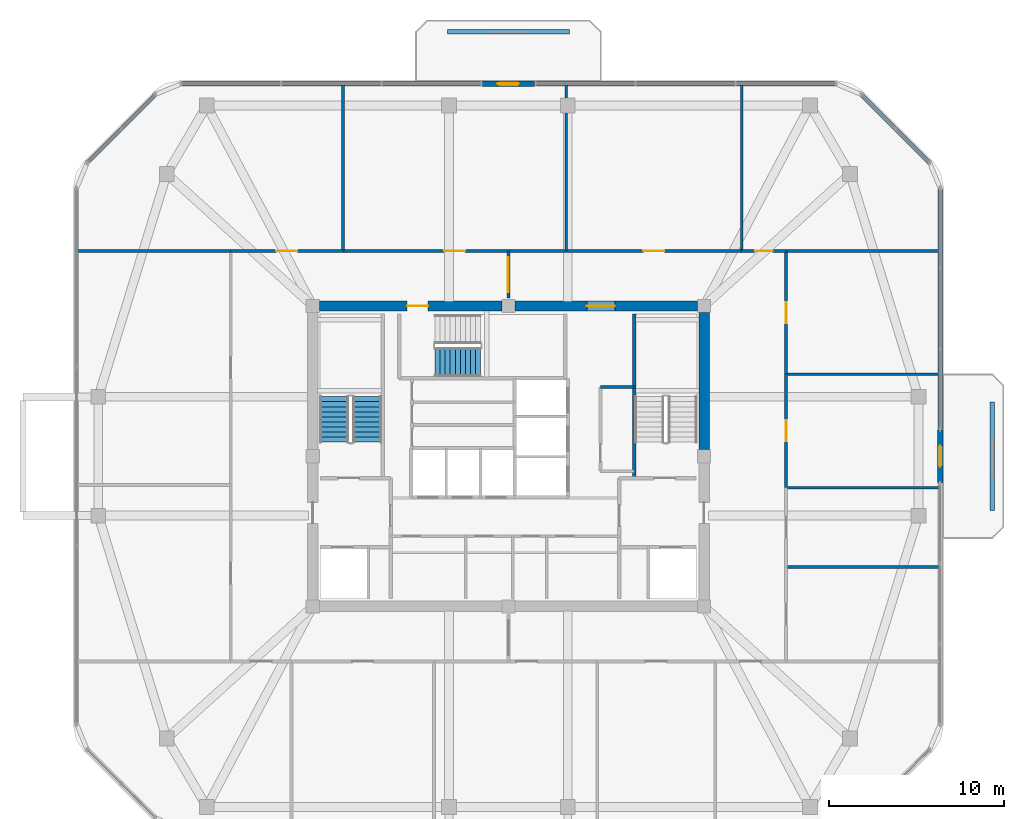
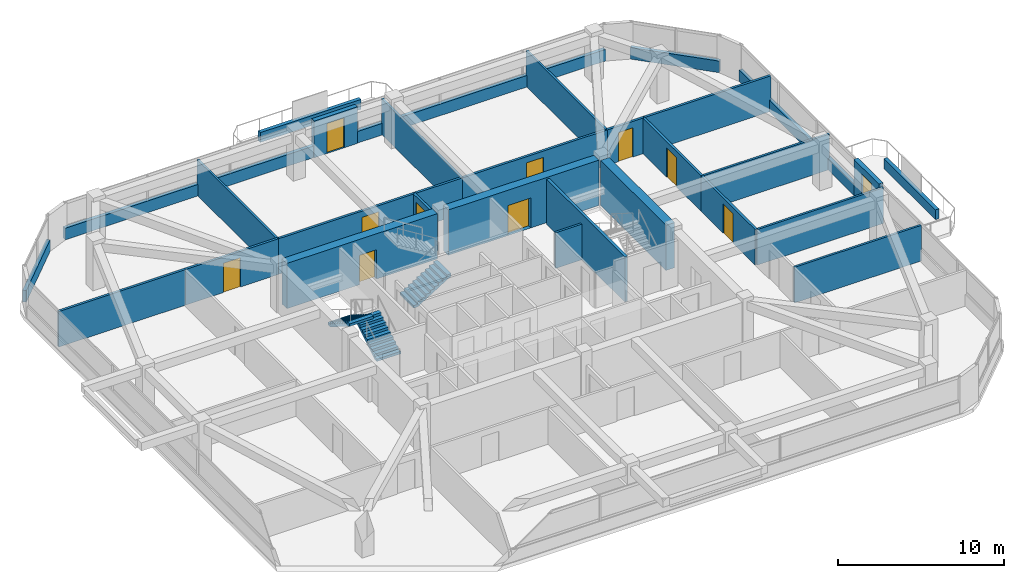
# One storey, part 11 of 14: 29 walls, 11 doors, 3 stair flights, 11 openings, 2 elements without a shape of their own.
"""IFC4 building model written with IfcOpenShell, lengths in metres."""

from ifc_helpers import new_model, si_unit, derived_unit, direction, frame, frame_2d, origin, place, context, subcontext, project, spatial, polyline, rectangle, outline, extrude, material, layer, layer_set, type_object, element, fill, aggregate, save


model = new_model("IFC4")

# Units and contexts
model_context = context("Model", 3, precision=1e-05, world=origin(), true_north=direction((0.0, 1.0)))
body_context = subcontext(model_context, "Body", "Model", "MODEL_VIEW")
ifc_project = project(units=[si_unit("LENGTHUNIT", "METRE"), si_unit("AREAUNIT", "SQUARE_METRE"), si_unit("VOLUMEUNIT", "CUBIC_METRE"), si_unit("PLANEANGLEUNIT", "RADIAN"), si_unit("MASSUNIT", "GRAM", prefix="KILO"), derived_unit("THERMALTRANSMITTANCEUNIT", [(si_unit("POWERUNIT", "WATT"), 1), (si_unit("LENGTHUNIT", "METRE"), -2), (si_unit("THERMODYNAMICTEMPERATUREUNIT", "KELVIN"), -1)])], contexts=[model_context])

# Site, building, storey
site_placement = place(None, origin())
site = spatial("IfcSite", under=ifc_project, at=site_placement, CompositionType="ELEMENT")
building_placement = place(site_placement, origin())
building = spatial("IfcBuilding", under=site, at=building_placement, Name="Koralith Skygarden Medical Center", CompositionType="ELEMENT")
storey_placement = place(building_placement, frame((0.0, 0.0, 275.219970703125)))
storey = spatial("IfcBuildingStorey", under=building, at=storey_placement, Name="L71", CompositionType="ELEMENT", Elevation=275.219970703125)

# Walls
ifc_material_1 = material(Name="Gypsum Board Partition")
ifc_layer_1 = layer(ifc_material_1, 0.14990234375)
ifc_layer_set_1 = layer_set([ifc_layer_1], Name="Gypsum Board Partition")
wall_type_1 = type_object("IfcWallType", Name="Clinical Acoustic Partition 150", PredefinedType="PARTITIONING", material=ifc_layer_set_1)
wall_1_placement = place(storey_placement, frame((42.27001953125, 29.860107421875, 0.0), z_axis=(0.0, 0.0, 1.0), x_axis=(1.0, 0.0, 0.0)))
element("IfcWall", 1, at=wall_1_placement, inside=storey, type_object=wall_type_1, Name="L71 Clinical Acoustic Partition 150 W-CORE-L71-ESUB-N", PredefinedType="PARTITIONING", context=body_context, shape_type="SweptSolid", body=[
    extrude(rectangle(XDim=1.929931640625, YDim=0.14990234375, at=frame_2d((0.96484375, 0.0))), origin(), (0.0, 0.0, 1.0), 2.610107421875),
])
for number, where, z_axis, x_axis, name in (
    (2, (27.528076171875, 37.64990234375, 0.0), (0.0, 0.0, 1.0), (0.0, 1.0, 0.0), "L71 Clinical Acoustic Partition 150 W-PART-L71-N-01"),
    (3, (40.31494140625, 37.64990234375, 0.0), (0.0, 0.0, 1.0), (0.0, 1.0, 0.0), "L71 Clinical Acoustic Partition 150 W-PART-L71-N-02"),
    (4, (50.35009765625, 37.64990234375, 0.0), (0.0, 0.0, 1.0), (0.0, 1.0, 0.0), "L71 Clinical Acoustic Partition 150 W-PART-L71-N-03"),
):
    element("IfcWall", number, at=place(storey_placement, frame(where, z_axis=z_axis, x_axis=x_axis)), inside=storey, type_object=wall_type_1, Name=name, PredefinedType="PARTITIONING", context=body_context, shape_type="SweptSolid", body=[
        extrude(rectangle(XDim=9.550048828125, YDim=0.14990234375, at=frame_2d((4.77490234375, 0.0))), origin(), (0.0, 0.0, 1.0), 2.610107421875),
    ])
for number, where, z_axis, x_axis, name in (
    (5, (52.89990234375, 19.554931640625, 0.0), (0.0, 0.0, 1.0), (1.0, 0.0, 0.0), "L71 Clinical Acoustic Partition 150 W-PART-L71-E-01"),
    (6, (52.89990234375, 24.10009765625, 0.0), (0.0, 0.0, 1.0), (1.0, 0.0, 0.0), "L71 Clinical Acoustic Partition 150 W-PART-L71-E-02"),
    (7, (52.89990234375, 30.60009765625, 0.0), (0.0, 0.0, 1.0), (1.0, 0.0, 0.0), "L71 Clinical Acoustic Partition 150 W-PART-L71-E-03"),
):
    element("IfcWall", number, at=place(storey_placement, frame(where, z_axis=z_axis, x_axis=x_axis)), inside=storey, type_object=wall_type_1, Name=name, PredefinedType="PARTITIONING", context=body_context, shape_type="SweptSolid", body=[
        extrude(rectangle(XDim=8.800048828125, YDim=0.14990234375, at=frame_2d((4.39990234375, 0.0))), origin(), (0.0, 0.0, 1.0), 2.610107421875),
    ])
ifc_layer_2 = layer(ifc_material_1, 0.1650390625)
ifc_layer_set_2 = layer_set([ifc_layer_2], Name="Gypsum Board Partition")
wall_type_2 = type_object("IfcWallType", Name="Clinical Corridor Partition 165", PredefinedType="PARTITIONING", material=ifc_layer_set_2)
for number, where, z_axis, x_axis, name in (
    (8, (12.300048828125, 37.64990234375, 0.0), (0.0, 0.0, 1.0), (1.0, 0.0, 0.0), "L71 Clinical Corridor Partition 165 W-WB-L71-NW"),
    (9, (52.89990234375, 37.64990234375, 0.0), (0.0, 0.0, 1.0), (1.0, 0.0, 0.0), "L71 Clinical Corridor Partition 165 W-WB-L71-NE"),
):
    element("IfcWall", number, at=place(storey_placement, frame(where, z_axis=z_axis, x_axis=x_axis)), inside=storey, type_object=wall_type_2, Name=name, PredefinedType="PARTITIONING", context=body_context, shape_type="SweptSolid", body=[
        extrude(rectangle(XDim=8.800048828125, YDim=0.1650390625, at=frame_2d((4.39990234375, 0.0))), origin(), (0.0, 0.0, 1.0), 2.610107421875),
    ])

# Wall, opening, door
wall_2_placement = place(storey_placement, frame((21.10009765625, 37.64990234375, 0.0), z_axis=(0.0, 0.0, 1.0), x_axis=(1.0, 0.0, 0.0)))
wall_2 = element("IfcWall", 10, at=wall_2_placement, inside=storey, type_object=wall_type_2, Name="L71 Clinical Corridor Partition 165 W-CORR-L71-N-01", PredefinedType="PARTITIONING", context=body_context, shape_type="SweptSolid", body=[
    extrude(rectangle(XDim=6.427978515625, YDim=0.1650390625, at=frame_2d((3.2138671875, 0.0))), origin(), (0.0, 0.0, 1.0), 2.610107421875),
])
opening_1_placement = place(wall_2_placement, frame((2.614013671875, 0.0, 0.0)))
opening_1 = element("IfcOpeningElement", 11, at=opening_1_placement, cuts=wall_2, Name="Opening D-CLN", PredefinedType="OPENING", context=body_context, shape_type="SweptSolid", body=[
    extrude(rectangle(XDim=1.199951171875, YDim=2.14990234375, at=frame_2d((0.60009765625, 1.074951171875))), frame((0.0, 0.092529296875, 0.0), z_axis=(0.0, -1.0, 0.0), x_axis=(1.0, 0.0, 0.0)), (0.0, 0.0, 1.0), 0.18505859375),
])
ifc_material_2 = material(Name="Aluminium 6063-T6", Category="aluminium")
door_type_1 = type_object("IfcDoorType", Name="Clinical Corridor Door D-CLN 1200", OperationType="NOTDEFINED", PredefinedType="DOOR", material=ifc_material_2)
door_1_placement = place(opening_1_placement, origin())
door_1 = element("IfcDoor", 12, at=door_1_placement, inside=storey, type_object=door_type_1, Name="L71 Ethics Committee Conference Room 01 Door", OperationType="SINGLE_SWING_RIGHT", OverallHeight=2.14990234375, OverallWidth=1.199951171875, PredefinedType="DOOR", context=body_context, shape_type="SweptSolid", body=[
    extrude(rectangle(XDim=1.199951171875, YDim=2.14990234375, at=frame_2d((0.60009765625, 1.074951171875))), frame((0.0, 0.02490234375, 0.0), z_axis=(0.0, -1.0, 0.0), x_axis=(1.0, 0.0, 0.0)), (0.0, 0.0, 1.0), 0.050048828125),
])
fill(opening_1, door_1)

wall_3_placement = place(storey_placement, frame((27.528076171875, 37.64990234375, 0.0), z_axis=(0.0, 0.0, 1.0), x_axis=(1.0, 0.0, 0.0)))
wall_3 = element("IfcWall", 13, at=wall_3_placement, inside=storey, type_object=wall_type_2, Name="L71 Clinical Corridor Partition 165 W-CORR-L71-N-02", PredefinedType="PARTITIONING", context=body_context, shape_type="SweptSolid", body=[
    extrude(rectangle(XDim=12.786865234375, YDim=0.1650390625, at=frame_2d((6.3935546875, 0.0))), origin(), (0.0, 0.0, 1.0), 2.610107421875),
])
opening_2_placement = place(wall_3_placement, frame((5.79296875, 0.0, 0.0)))
opening_2 = element("IfcOpeningElement", 14, at=opening_2_placement, cuts=wall_3, Name="Opening D-CLN", PredefinedType="OPENING", context=body_context, shape_type="SweptSolid", body=[
    extrude(rectangle(XDim=1.199951171875, YDim=2.14990234375, at=frame_2d((0.60009765625, 1.074951171875))), frame((0.0, 0.092529296875, 0.0), z_axis=(0.0, -1.0, 0.0), x_axis=(1.0, 0.0, 0.0)), (0.0, 0.0, 1.0), 0.18505859375),
])
door_2_placement = place(opening_2_placement, origin())
door_2 = element("IfcDoor", 15, at=door_2_placement, inside=storey, type_object=door_type_1, Name="L71 Patient and Family Sky-Garden Day Lounge 02 Door", OperationType="SINGLE_SWING_LEFT", OverallHeight=2.14990234375, OverallWidth=1.199951171875, PredefinedType="DOOR", context=body_context, shape_type="SweptSolid", body=[
    extrude(rectangle(XDim=1.199951171875, YDim=2.14990234375, at=frame_2d((0.60009765625, 1.074951171875))), frame((0.0, 0.02490234375, 0.0), z_axis=(0.0, -1.0, 0.0), x_axis=(1.0, 0.0, 0.0)), (0.0, 0.0, 1.0), 0.050048828125),
])
fill(opening_2, door_2)

wall_4_placement = place(storey_placement, frame((40.31494140625, 37.64990234375, 0.0), z_axis=(0.0, 0.0, 1.0), x_axis=(1.0, 0.0, 0.0)))
wall_4 = element("IfcWall", 16, at=wall_4_placement, inside=storey, type_object=wall_type_2, Name="L71 Clinical Corridor Partition 165 W-CORR-L71-N-03", PredefinedType="PARTITIONING", context=body_context, shape_type="SweptSolid", body=[
    extrude(rectangle(XDim=10.03515625, YDim=0.1650390625, at=frame_2d((5.017578125, 0.0))), origin(), (0.0, 0.0, 1.0), 2.610107421875),
])
opening_3_placement = place(wall_4_placement, frame((4.41796875, 0.0, 0.0)))
opening_3 = element("IfcOpeningElement", 17, at=opening_3_placement, cuts=wall_4, Name="Opening D-CLN", PredefinedType="OPENING", context=body_context, shape_type="SweptSolid", body=[
    extrude(rectangle(XDim=1.199951171875, YDim=2.14990234375, at=frame_2d((0.60009765625, 1.074951171875))), frame((0.0, 0.092529296875, 0.0), z_axis=(0.0, -1.0, 0.0), x_axis=(1.0, 0.0, 0.0)), (0.0, 0.0, 1.0), 0.18505859375),
])
door_3_placement = place(opening_3_placement, origin())
door_3 = element("IfcDoor", 18, at=door_3_placement, inside=storey, type_object=door_type_1, Name="L71 Hospital Quality Huddle Room 03 Door", OperationType="SINGLE_SWING_RIGHT", OverallHeight=2.14990234375, OverallWidth=1.199951171875, PredefinedType="DOOR", context=body_context, shape_type="SweptSolid", body=[
    extrude(rectangle(XDim=1.199951171875, YDim=2.14990234375, at=frame_2d((0.60009765625, 1.074951171875))), frame((0.0, 0.02490234375, 0.0), z_axis=(0.0, -1.0, 0.0), x_axis=(1.0, 0.0, 0.0)), (0.0, 0.0, 1.0), 0.050048828125),
])
fill(opening_3, door_3)

wall_5_placement = place(storey_placement, frame((50.35009765625, 37.64990234375, 0.0), z_axis=(0.0, 0.0, 1.0), x_axis=(1.0, 0.0, 0.0)))
wall_5 = element("IfcWall", 19, at=wall_5_placement, inside=storey, type_object=wall_type_2, Name="L71 Clinical Corridor Partition 165 W-CORR-L71-N-04", PredefinedType="PARTITIONING", context=body_context, shape_type="SweptSolid", body=[
    extrude(rectangle(XDim=2.5498046875, YDim=0.1650390625, at=frame_2d((1.27490234375, 0.0))), origin(), (0.0, 0.0, 1.0), 2.610107421875),
])
opening_4_placement = place(wall_5_placement, frame((0.77490234375, 0.0, 0.0)))
opening_4 = element("IfcOpeningElement", 20, at=opening_4_placement, cuts=wall_5, Name="Opening D-SUP", PredefinedType="OPENING", context=body_context, shape_type="SweptSolid", body=[
    extrude(rectangle(XDim=1.0, YDim=2.14990234375, at=frame_2d((0.5, 1.074951171875))), frame((0.0, 0.092529296875, 0.0), z_axis=(0.0, -1.0, 0.0), x_axis=(1.0, 0.0, 0.0)), (0.0, 0.0, 1.0), 0.18505859375),
])
door_type_2 = type_object("IfcDoorType", Name="Clinical Support Door D-SUP 1000", OperationType="NOTDEFINED", PredefinedType="DOOR", material=ifc_material_2)
door_4_placement = place(opening_4_placement, origin())
door_4 = element("IfcDoor", 21, at=door_4_placement, inside=storey, type_object=door_type_2, Name="L71 Physician Reading Lounge 04 Door", OperationType="SINGLE_SWING_LEFT", OverallHeight=2.14990234375, OverallWidth=1.0, PredefinedType="DOOR", context=body_context, shape_type="SweptSolid", body=[
    extrude(rectangle(XDim=1.0, YDim=2.14990234375, at=frame_2d((0.5, 1.074951171875))), frame((0.0, 0.02490234375, 0.0), z_axis=(0.0, -1.0, 0.0), x_axis=(1.0, 0.0, 0.0)), (0.0, 0.0, 1.0), 0.050048828125),
])
fill(opening_4, door_4)

wall_6_placement = place(storey_placement, frame((52.89990234375, 24.10009765625, 0.0), z_axis=(0.0, 0.0, 1.0), x_axis=(0.0, 1.0, 0.0)))
wall_6 = element("IfcWall", 22, at=wall_6_placement, inside=storey, type_object=wall_type_2, Name="L71 Clinical Corridor Partition 165 W-CORR-L71-E-03", PredefinedType="PARTITIONING", context=body_context, shape_type="SweptSolid", body=[
    extrude(rectangle(XDim=6.5, YDim=0.1650390625, at=frame_2d((3.25, 0.0))), origin(), (0.0, 0.0, 1.0), 2.610107421875),
])
opening_5_placement = place(wall_6_placement, frame((2.64990234375, 0.0, 0.0)))
opening_5 = element("IfcOpeningElement", 23, at=opening_5_placement, cuts=wall_6, Name="Opening D-CLN", PredefinedType="OPENING", context=body_context, shape_type="SweptSolid", body=[
    extrude(rectangle(XDim=1.199951171875, YDim=2.14990234375, at=frame_2d((0.60009765625, 1.074951171875))), frame((0.0, 0.092529296875, 0.0), z_axis=(0.0, -1.0, 0.0), x_axis=(1.0, 0.0, 0.0)), (0.0, 0.0, 1.0), 0.18505859375),
])
door_5_placement = place(opening_5_placement, origin())
door_5 = element("IfcDoor", 24, at=door_5_placement, inside=storey, type_object=door_type_1, Name="L71 Patient and Family Sky-Garden Day Lounge 14 Door", OperationType="SINGLE_SWING_LEFT", OverallHeight=2.14990234375, OverallWidth=1.199951171875, PredefinedType="DOOR", context=body_context, shape_type="SweptSolid", body=[
    extrude(rectangle(XDim=1.199951171875, YDim=2.14990234375, at=frame_2d((0.60009765625, 1.074951171875))), frame((0.0, 0.02490234375, 0.0), z_axis=(0.0, -1.0, 0.0), x_axis=(1.0, 0.0, 0.0)), (0.0, 0.0, 1.0), 0.050048828125),
])
fill(opening_5, door_5)

wall_7_placement = place(storey_placement, frame((52.89990234375, 30.60009765625, 0.0), z_axis=(0.0, 0.0, 1.0), x_axis=(0.0, 1.0, 0.0)))
wall_7 = element("IfcWall", 25, at=wall_7_placement, inside=storey, type_object=wall_type_2, Name="L71 Clinical Corridor Partition 165 W-CORR-L71-E-04", PredefinedType="PARTITIONING", context=body_context, shape_type="SweptSolid", body=[
    extrude(rectangle(XDim=7.0498046875, YDim=0.1650390625, at=frame_2d((3.52490234375, 0.0))), origin(), (0.0, 0.0, 1.0), 2.610107421875),
])
opening_6_placement = place(wall_7_placement, frame((2.925048828125, 0.0, 0.0)))
opening_6 = element("IfcOpeningElement", 26, at=opening_6_placement, cuts=wall_7, Name="Opening D-CLN", PredefinedType="OPENING", context=body_context, shape_type="SweptSolid", body=[
    extrude(rectangle(XDim=1.199951171875, YDim=2.14990234375, at=frame_2d((0.60009765625, 1.074951171875))), frame((0.0, 0.092529296875, 0.0), z_axis=(0.0, -1.0, 0.0), x_axis=(1.0, 0.0, 0.0)), (0.0, 0.0, 1.0), 0.18505859375),
])
door_6_placement = place(opening_6_placement, origin())
door_6 = element("IfcDoor", 27, at=door_6_placement, inside=storey, type_object=door_type_1, Name="L71 Ethics Committee Conference Room 15 Door", OperationType="SINGLE_SWING_RIGHT", OverallHeight=2.14990234375, OverallWidth=1.199951171875, PredefinedType="DOOR", context=body_context, shape_type="SweptSolid", body=[
    extrude(rectangle(XDim=1.199951171875, YDim=2.14990234375, at=frame_2d((0.60009765625, 1.074951171875))), frame((0.0, 0.02490234375, 0.0), z_axis=(0.0, -1.0, 0.0), x_axis=(1.0, 0.0, 0.0)), (0.0, 0.0, 1.0), 0.050048828125),
])
fill(opening_6, door_6)

ifc_layer_3 = layer(ifc_material_1, 0.179931640625)
ifc_layer_set_3 = layer_set([ifc_layer_3], Name="Gypsum Board Partition")
wall_type_3 = type_object("IfcWallType", Name="Group I-2 Smoke Barrier Wall 180", PredefinedType="PARTITIONING", material=ifc_layer_set_3)
wall_8_placement = place(storey_placement, frame((37.0, 34.949951171875, 0.0), z_axis=(0.0, 0.0, 1.0), x_axis=(0.0, 1.0, 0.0)))
wall_8 = element("IfcWall", 28, at=wall_8_placement, inside=storey, type_object=wall_type_3, Name="L71 Group I-2 Smoke Barrier Wall 180 W-SMK-L71-N", PredefinedType="PARTITIONING", context=body_context, shape_type="SweptSolid", body=[
    extrude(rectangle(XDim=2.699951171875, YDim=0.179931640625, at=frame_2d((1.35009765625, 0.0))), origin(), (0.0, 0.0, 1.0), 2.610107421875),
])
opening_7_placement = place(wall_8_placement, frame((0.35009765625, 0.0, 0.0)))
opening_7 = element("IfcOpeningElement", 29, at=opening_7_placement, cuts=wall_8, Name="Opening D-SMK", PredefinedType="OPENING", context=body_context, shape_type="SweptSolid", body=[
    extrude(rectangle(XDim=2.0, YDim=2.199951171875, at=frame_2d((1.0, 1.10009765625))), frame((0.0, 0.099853515625, 0.0), z_axis=(0.0, -1.0, 0.0), x_axis=(1.0, 0.0, 0.0)), (0.0, 0.0, 1.0), 0.199951171875),
])
ifc_material_3 = material(Name="Steel ASTM A500 Grade C", Category="steel")
door_type_3 = type_object("IfcDoorType", Name="Cross-Corridor Double Smoke Door FD60S 2000", OperationType="NOTDEFINED", PredefinedType="DOOR", material=ifc_material_3)
door_7_placement = place(opening_7_placement, origin())
door_7 = element("IfcDoor", 30, at=door_7_placement, inside=storey, type_object=door_type_3, Name="L71 N Smoke Compartment Cross-Corridor Door", OperationType="DOUBLE_DOOR_SINGLE_SWING", OverallHeight=2.199951171875, OverallWidth=2.0, PredefinedType="DOOR", context=body_context, shape_type="SweptSolid", body=[
    extrude(rectangle(XDim=2.0, YDim=2.199951171875, at=frame_2d((1.0, 1.10009765625))), frame((0.0, 0.02490234375, 0.0), z_axis=(0.0, -1.0, 0.0), x_axis=(1.0, 0.0, 0.0)), (0.0, 0.0, 1.0), 0.050048828125),
])
fill(opening_7, door_7)

# Walls
ifc_material_4 = material(Name="Warm Oolitic Limestone Cladding", Category="masonry")
ifc_layer_4 = layer(ifc_material_4, 0.239990234375)
ifc_layer_set_4 = layer_set([ifc_layer_4], Name="Warm Oolitic Limestone Cladding")
wall_type_4 = type_object("IfcWallType", Name="Limestone Spandrel Sill Backup Wall 240", PredefinedType="SOLIDWALL", material=ifc_layer_set_4)
wall_9_placement = place(storey_placement, frame((61.719970703125, 27.43994140625, 0.0), z_axis=(0.0, 0.0, 1.0), x_axis=(0.0, 1.0, 0.0)))
element("IfcWall", 31, at=wall_9_placement, inside=storey, type_object=wall_type_4, Name="L71 Sill Spandrel E-R", PredefinedType="SOLIDWALL", context=body_context, shape_type="SweptSolid", body=[
    extrude(rectangle(XDim=13.80517578125, YDim=0.239990234375, at=frame_2d((6.902587890625, 0.0))), origin(), (0.0, 0.0, 1.0), 0.85009765625),
])
wall_10_placement = place(storey_placement, frame((61.118896484375, 42.696044921875, 0.0), z_axis=(0.0, 0.0, 1.0), x_axis=(-0.707106781187, 0.707106781187, 0.0)))
element("IfcWall", 32, at=wall_10_placement, inside=storey, type_object=wall_type_4, Name="L71 Sill Spandrel NE", PredefinedType="SOLIDWALL", context=body_context, shape_type="SweptSolid", body=[
    extrude(rectangle(XDim=5.5478515625, YDim=0.239990234375, at=frame_2d((2.77392578125, 0.0))), origin(), (0.0, 0.0, 1.0), 0.85009765625),
])
wall_11_placement = place(storey_placement, frame((55.7451171875, 47.219970703125, 0.0), z_axis=(0.0, 0.0, 1.0), x_axis=(-1.0, 0.0, 0.0)))
element("IfcWall", 33, at=wall_11_placement, inside=storey, type_object=wall_type_4, Name="L71 Sill Spandrel N-L", PredefinedType="SOLIDWALL", context=body_context, shape_type="SweptSolid", body=[
    extrude(rectangle(XDim=17.2041015625, YDim=0.239990234375, at=frame_2d((8.60205078125, 0.0))), origin(), (0.0, 0.0, 1.0), 0.85009765625),
])
wall_12_placement = place(storey_placement, frame((35.4609375, 47.219970703125, 0.0), z_axis=(0.0, 0.0, 1.0), x_axis=(-1.0, 0.0, 0.0)))
element("IfcWall", 34, at=wall_12_placement, inside=storey, type_object=wall_type_4, Name="L71 Sill Spandrel N-R", PredefinedType="SOLIDWALL", context=body_context, shape_type="SweptSolid", body=[
    extrude(rectangle(XDim=17.2060546875, YDim=0.239990234375, at=frame_2d((8.60302734375, 0.0))), origin(), (0.0, 0.0, 1.0), 0.85009765625),
])
wall_13_placement = place(storey_placement, frame((16.803955078125, 46.618896484375, 0.0), z_axis=(0.0, 0.0, 1.0), x_axis=(-0.707106781187, -0.707106781187, 0.0)))
element("IfcWall", 35, at=wall_13_placement, inside=storey, type_object=wall_type_4, Name="L71 Sill Spandrel NW", PredefinedType="SOLIDWALL", context=body_context, shape_type="SweptSolid", body=[
    extrude(rectangle(XDim=5.5478515625, YDim=0.239990234375, at=frame_2d((2.77392578125, 0.0))), origin(), (0.0, 0.0, 1.0), 0.85009765625),
])

# Wall, opening, door
ifc_layer_5 = layer(ifc_material_4, 0.300048828125)
ifc_layer_set_5 = layer_set([ifc_layer_5], Name="Warm Oolitic Limestone Cladding")
wall_type_5 = type_object("IfcWallType", Name="Oolitic Limestone Insulated Facade Wall 300", PredefinedType="SOLIDWALL", material=ifc_layer_set_5)
wall_14_placement = place(storey_placement, frame((61.719970703125, 24.39990234375, 0.0), z_axis=(0.0, 0.0, 1.0), x_axis=(0.0, 1.0, 0.0)))
wall_14 = element("IfcWall", 36, at=wall_14_placement, inside=storey, type_object=wall_type_5, Name="L71 Terrace Portal Wall E", PredefinedType="SOLIDWALL", context=body_context, shape_type="SweptSolid", body=[
    extrude(rectangle(XDim=3.0, YDim=0.300048828125, at=frame_2d((1.5, 0.0))), origin(), (0.0, 0.0, 1.0), 2.68994140625),
])
opening_8_placement = place(wall_14_placement, frame((0.89990234375, 0.0, 0.0)))
opening_8 = element("IfcOpeningElement", 37, at=opening_8_placement, cuts=wall_14, Name="Opening D-BAL", PredefinedType="OPENING", context=body_context, shape_type="SweptSolid", body=[
    extrude(rectangle(XDim=1.199951171875, YDim=2.199951171875, at=frame_2d((0.60009765625, 1.10009765625))), frame((0.0, 0.159912109375, 0.0), z_axis=(0.0, -1.0, 0.0), x_axis=(1.0, 0.0, 0.0)), (0.0, 0.0, 1.0), 0.320068359375),
])
door_type_4 = type_object("IfcDoorType", Name="Planted Balcony Glazed Terrace Door D-BAL 1200", OperationType="NOTDEFINED", PredefinedType="DOOR", material=ifc_material_2)
door_8_placement = place(opening_8_placement, origin())
door_8 = element("IfcDoor", 38, at=door_8_placement, inside=storey, type_object=door_type_4, Name="L71 E Outdoor Terrace Access Door", OperationType="SINGLE_SWING_RIGHT", OverallHeight=2.199951171875, OverallWidth=1.199951171875, PredefinedType="DOOR", context=body_context, shape_type="SweptSolid", body=[
    extrude(rectangle(XDim=1.199951171875, YDim=2.199951171875, at=frame_2d((0.60009765625, 1.10009765625))), frame((0.0, 0.02490234375, 0.0), z_axis=(0.0, -1.0, 0.0), x_axis=(1.0, 0.0, 0.0)), (0.0, 0.0, 1.0), 0.050048828125),
])
fill(opening_8, door_8)

wall_15_placement = place(storey_placement, frame((38.5009765625, 47.219970703125, 0.0), z_axis=(0.0, 0.0, 1.0), x_axis=(-1.0, 0.0, 0.0)))
wall_15 = element("IfcWall", 39, at=wall_15_placement, inside=storey, type_object=wall_type_5, Name="L71 Terrace Portal Wall N", PredefinedType="SOLIDWALL", context=body_context, shape_type="SweptSolid", body=[
    extrude(rectangle(XDim=3.0, YDim=0.300048828125, at=frame_2d((1.5, 0.0))), origin(), (0.0, 0.0, 1.0), 2.68994140625),
])
opening_9_placement = place(wall_15_placement, frame((0.89990234375, 0.0, 0.0)))
opening_9 = element("IfcOpeningElement", 40, at=opening_9_placement, cuts=wall_15, Name="Opening D-BAL", PredefinedType="OPENING", context=body_context, shape_type="SweptSolid", body=[
    extrude(rectangle(XDim=1.199951171875, YDim=2.199951171875, at=frame_2d((0.60009765625, 1.10009765625))), frame((0.0, 0.159912109375, 0.0), z_axis=(0.0, -1.0, 0.0), x_axis=(1.0, 0.0, 0.0)), (0.0, 0.0, 1.0), 0.320068359375),
])
door_9_placement = place(opening_9_placement, origin())
door_9 = element("IfcDoor", 41, at=door_9_placement, inside=storey, type_object=door_type_4, Name="L71 N Outdoor Terrace Access Door", OperationType="SINGLE_SWING_RIGHT", OverallHeight=2.199951171875, OverallWidth=1.199951171875, PredefinedType="DOOR", context=body_context, shape_type="SweptSolid", body=[
    extrude(rectangle(XDim=1.199951171875, YDim=2.199951171875, at=frame_2d((0.60009765625, 1.10009765625))), frame((0.0, 0.02490234375, 0.0), z_axis=(0.0, -1.0, 0.0), x_axis=(1.0, 0.0, 0.0)), (0.0, 0.0, 1.0), 0.050048828125),
])
fill(opening_9, door_9)

# Walls
ifc_material_5 = material(Name="Precast concrete C40/50", Category="concrete")
ifc_layer_6 = layer(ifc_material_5, 0.25)
ifc_layer_set_6 = layer_set([ifc_layer_6], Name="Precast concrete C40/50")
wall_type_6 = type_object("IfcWallType", Name="Structural Concrete Balcony Planter Kerb 250", PredefinedType="PARAPET", material=ifc_layer_set_6)
wall_16_placement = place(storey_placement, frame((33.5, 50.199951171875, 0.0), z_axis=(0.0, 0.0, 1.0), x_axis=(1.0, 0.0, 0.0)))
element("IfcWall", 42, at=wall_16_placement, inside=storey, type_object=wall_type_6, Name="L71 N Structural Tree PLANTER Box", PredefinedType="PARAPET", context=body_context, shape_type="SweptSolid", body=[
    extrude(rectangle(XDim=7.0, YDim=0.25, at=frame_2d((3.5, 0.0))), origin(), (0.0, 0.0, 1.0), 0.719970703125),
])
wall_17_placement = place(storey_placement, frame((64.699951171875, 22.800048828125, 0.0), z_axis=(0.0, 0.0, 1.0), x_axis=(0.0, 1.0, 0.0)))
element("IfcWall", 43, at=wall_17_placement, inside=storey, type_object=wall_type_6, Name="L71 E Structural Tree PLANTER Box", PredefinedType="PARAPET", context=body_context, shape_type="SweptSolid", body=[
    extrude(rectangle(XDim=6.199951171875, YDim=0.25, at=frame_2d((3.10009765625, 0.0))), origin(), (0.0, 0.0, 1.0), 0.719970703125),
])
ifc_material_6 = material(Name="Concrete C45/55", Category="concrete")
ifc_layer_7 = layer(ifc_material_6, 0.199951171875)
ifc_layer_set_7 = layer_set([ifc_layer_7], Name="Concrete C45/55")
wall_type_7 = type_object("IfcWallType", Name="Structural Stair Shaft Wall 200", PredefinedType="SHEAR", material=ifc_layer_set_7)
wall_18_placement = place(storey_placement, frame((44.199951171875, 24.64990234375, 0.0), z_axis=(0.0, 0.0, 1.0), x_axis=(0.0, 1.0, 0.0)))
element("IfcWall", 44, at=wall_18_placement, inside=storey, type_object=wall_type_7, Name="L71 Structural Stair Shaft Wall 200 W-CORE-L71-ST2-W", PredefinedType="SHEAR", context=body_context, shape_type="SweptSolid", body=[
    extrude(rectangle(XDim=9.400146484375, YDim=0.199951171875, at=frame_2d((4.7001953125, 0.0))), origin(), (0.0, 0.0, 1.0), 3.320068359375),
])
ifc_material_7 = material(Name="Concrete C55/67", Category="concrete")
ifc_layer_8 = layer(ifc_material_7, 0.60009765625)
ifc_layer_set_8 = layer_set([ifc_layer_8], Name="Concrete C55/67")
wall_type_8 = type_object("IfcWallType", Name="Upper Core Shear Wall 600", PredefinedType="SHEAR", material=ifc_layer_set_8)
wall_19_placement = place(storey_placement, frame((48.199951171875, 26.27490234375, 0.0), z_axis=(0.0, 0.0, 1.0), x_axis=(0.0, 1.0, 0.0)))
element("IfcWall", 45, at=wall_19_placement, inside=storey, type_object=wall_type_8, Name="L71 Core Shear Wall Segment 4", PredefinedType="SHEAR", context=body_context, shape_type="SweptSolid", body=[
    extrude(rectangle(XDim=7.85009765625, YDim=0.60009765625, at=frame_2d((3.925048828125, 0.0))), origin(), (0.0, 0.0, 1.0), 3.320068359375),
])

# Wall, opening, door
wall_20_placement = place(storey_placement, frame((47.824951171875, 34.5, 0.0), z_axis=(0.0, 0.0, 1.0), x_axis=(-1.0, 0.0, 0.0)))
wall_20 = element("IfcWall", 46, at=wall_20_placement, inside=storey, type_object=wall_type_8, Name="L71 Core Shear Wall Segment 5", PredefinedType="SHEAR", context=body_context, shape_type="SweptSolid", body=[
    extrude(rectangle(XDim=10.449951171875, YDim=0.60009765625, at=frame_2d((5.22509765625, 0.0))), origin(), (0.0, 0.0, 1.0), 3.320068359375),
])
opening_10_placement = place(wall_20_placement, frame((4.72509765625, 0.0, 0.0)))
opening_10 = element("IfcOpeningElement", 47, at=opening_10_placement, cuts=wall_20, Name="Opening D-DBL", PredefinedType="OPENING", context=body_context, shape_type="SweptSolid", body=[
    extrude(rectangle(XDim=1.60009765625, YDim=2.199951171875, at=frame_2d((0.800048828125, 1.10009765625))), frame((0.0, 0.31005859375, 0.0), z_axis=(0.0, -1.0, 0.0), x_axis=(1.0, 0.0, 0.0)), (0.0, 0.0, 1.0), 0.6201171875),
])
door_type_5 = type_object("IfcDoorType", Name="Double Clinical Suite Door D-DBL 1600", OperationType="NOTDEFINED", PredefinedType="DOOR", material=ifc_material_2)
door_10_placement = place(opening_10_placement, frame((1.60009765625, 0.0, 0.0), z_axis=(0.0, 0.0, 1.0), x_axis=(-1.0, 0.0, 0.0)))
door_10 = element("IfcDoor", 48, at=door_10_placement, inside=storey, type_object=door_type_5, Name="L71 North-East Corridor to Elevator Lobby Door", OperationType="DOUBLE_DOOR_SINGLE_SWING", OverallHeight=2.199951171875, OverallWidth=1.60009765625, PredefinedType="DOOR", context=body_context, shape_type="SweptSolid", body=[
    extrude(rectangle(XDim=1.60009765625, YDim=2.199951171875, at=frame_2d((0.800048828125, 1.10009765625))), frame((0.0, 0.02490234375, 0.0), z_axis=(0.0, -1.0, 0.0), x_axis=(1.0, 0.0, 0.0)), (0.0, 0.0, 1.0), 0.050048828125),
])
fill(opening_10, door_10)

wall_21_placement = place(storey_placement, frame((36.625, 34.5, 0.0), z_axis=(0.0, 0.0, 1.0), x_axis=(-1.0, 0.0, 0.0)))
wall_21 = element("IfcWall", 49, at=wall_21_placement, inside=storey, type_object=wall_type_8, Name="L71 Core Shear Wall Segment 6", PredefinedType="SHEAR", context=body_context, shape_type="SweptSolid", body=[
    extrude(rectangle(XDim=10.449951171875, YDim=0.60009765625, at=frame_2d((5.22509765625, 0.0))), origin(), (0.0, 0.0, 1.0), 3.320068359375),
])
opening_11_placement = place(wall_21_placement, frame((4.22509765625, 0.0, 0.0)))
opening_11 = element("IfcOpeningElement", 50, at=opening_11_placement, cuts=wall_21, Name="Opening D-ST60", PredefinedType="OPENING", context=body_context, shape_type="SweptSolid", body=[
    extrude(rectangle(XDim=1.199951171875, YDim=2.14990234375, at=frame_2d((0.60009765625, 1.074951171875))), frame((0.0, 0.31005859375, 0.0), z_axis=(0.0, -1.0, 0.0), x_axis=(1.0, 0.0, 0.0)), (0.0, 0.0, 1.0), 0.6201171875),
])
door_type_6 = type_object("IfcDoorType", Name="Smokeproof Stair Fire Door FD60S 1200", OperationType="NOTDEFINED", PredefinedType="DOOR", material=ifc_material_3)
door_11_placement = place(opening_11_placement, frame((1.199951171875, 0.0, 0.0), z_axis=(0.0, 0.0, 1.0), x_axis=(-1.0, 0.0, 0.0)))
door_11 = element("IfcDoor", 51, at=door_11_placement, inside=storey, type_object=door_type_6, Name="L71 Exit Stair ST3 Fire Door", OperationType="SINGLE_SWING_LEFT", OverallHeight=2.14990234375, OverallWidth=1.199951171875, PredefinedType="DOOR", context=body_context, shape_type="SweptSolid", body=[
    extrude(rectangle(XDim=1.199951171875, YDim=2.14990234375, at=frame_2d((0.60009765625, 1.074951171875))), frame((0.0, 0.02490234375, 0.0), z_axis=(0.0, -1.0, 0.0), x_axis=(1.0, 0.0, 0.0)), (0.0, 0.0, 1.0), 0.050048828125),
])
fill(opening_11, door_11)

# Stair, stair flights
stair_type = type_object("IfcStairType", Name="Core Exit Dogleg Concrete Stair", PredefinedType="HALF_TURN_STAIR", material=ifc_material_6)
stair_1_placement = place(storey_placement, origin())
stair_1 = element("IfcStair", 52, at=stair_1_placement, inside=storey, type_object=stair_type, Name="L71 Smokeproof Exit Stair ST1", PredefinedType="HALF_TURN_STAIR")
stair_flight_type = type_object("IfcStairFlightType", Name="Core Exit Concrete Stair Flight 1650", PredefinedType="STRAIGHT", material=ifc_material_6)
stair_flight_1_placement = place(storey_placement, frame((28.925048828125, 26.699951171875, 0.0), z_axis=(0.0, 0.0, 1.0), x_axis=(0.0, 1.0, 0.0)))
stair_flight_1 = element("IfcStairFlight", 53, at=stair_flight_1_placement, type_object=stair_flight_type, Name="ST1 flight 1", NumberOfRisers=10, NumberOfTreads=9, PredefinedType="STRAIGHT", RiserHeight=0.18, TreadLength=0.29, context=body_context, shape_type="SweptSolid", body=[
    extrude(outline(polyline([(0.0, 0.0), (0.0, 0.179931640625), (0.2900390625, 0.179931640625), (0.2900390625, 0.360107421875), (0.580078125, 0.360107421875), (0.580078125, 0.5400390625), (0.8701171875, 0.5400390625), (0.8701171875, 0.719970703125), (1.159912109375, 0.719970703125), (1.159912109375, 0.89990234375), (1.449951171875, 0.89990234375), (1.449951171875, 1.080078125), (1.739990234375, 1.080078125), (1.739990234375, 1.260009765625), (2.030029296875, 1.260009765625), (2.030029296875, 1.43994140625), (2.320068359375, 1.43994140625), (2.320068359375, 1.6201171875), (2.610107421875, 1.6201171875), (2.610107421875, 1.800048828125), (2.610107421875, 1.443603515625), (0.2841796875, 0.0), (0.0, 0.0)])), frame((0.0, 0.824951171875, 0.0), z_axis=(0.0, -1.0, 0.0), x_axis=(1.0, 0.0, 0.0)), (0.0, 0.0, 1.0), 1.64990234375),
])
stair_flight_2_placement = place(storey_placement, frame((27.02490234375, 29.31005859375, 1.800048828125), z_axis=(0.0, 0.0, 1.0), x_axis=(0.0, -1.0, 0.0)))
stair_flight_2 = element("IfcStairFlight", 54, at=stair_flight_2_placement, type_object=stair_flight_type, Name="ST1 flight 2", NumberOfRisers=10, NumberOfTreads=9, PredefinedType="STRAIGHT", RiserHeight=0.18, TreadLength=0.29, context=body_context, shape_type="SweptSolid", body=[
    extrude(outline(polyline([(0.0, 0.0), (0.0, 0.179931640625), (0.2900390625, 0.179931640625), (0.2900390625, 0.360107421875), (0.580078125, 0.360107421875), (0.580078125, 0.5400390625), (0.8701171875, 0.5400390625), (0.8701171875, 0.719970703125), (1.159912109375, 0.719970703125), (1.159912109375, 0.89990234375), (1.449951171875, 0.89990234375), (1.449951171875, 1.080078125), (1.739990234375, 1.080078125), (1.739990234375, 1.260009765625), (2.030029296875, 1.260009765625), (2.030029296875, 1.43994140625), (2.320068359375, 1.43994140625), (2.320068359375, 1.6201171875), (2.610107421875, 1.6201171875), (2.610107421875, 1.800048828125), (2.610107421875, 1.443603515625), (0.2841796875, 0.0), (0.0, 0.0)])), frame((0.0, 0.824951171875, 0.0), z_axis=(0.0, -1.0, 0.0), x_axis=(1.0, 0.0, 0.0)), (0.0, 0.0, 1.0), 1.64990234375),
])
aggregate(stair_1, [stair_flight_1, stair_flight_2])

# Stair, stair flight
stair_2_placement = place(storey_placement, origin())
stair_2 = element("IfcStair", 55, at=stair_2_placement, inside=storey, type_object=stair_type, Name="L71 Smokeproof Exit Stair ST3", PredefinedType="HALF_TURN_STAIR")
stair_flight_3_placement = place(storey_placement, frame((32.800048828125, 31.27490234375, 0.0), z_axis=(0.0, 0.0, 1.0), x_axis=(1.0, 0.0, 0.0)))
stair_flight_3 = element("IfcStairFlight", 56, at=stair_flight_3_placement, type_object=stair_flight_type, Name="ST3 flight 1", NumberOfRisers=10, NumberOfTreads=9, PredefinedType="STRAIGHT", RiserHeight=0.18, TreadLength=0.29, context=body_context, shape_type="SweptSolid", body=[
    extrude(outline(polyline([(0.0, 0.0), (0.0, 0.179931640625), (0.2900390625, 0.179931640625), (0.2900390625, 0.360107421875), (0.580078125, 0.360107421875), (0.580078125, 0.5400390625), (0.8701171875, 0.5400390625), (0.8701171875, 0.719970703125), (1.159912109375, 0.719970703125), (1.159912109375, 0.89990234375), (1.449951171875, 0.89990234375), (1.449951171875, 1.080078125), (1.739990234375, 1.080078125), (1.739990234375, 1.260009765625), (2.030029296875, 1.260009765625), (2.030029296875, 1.43994140625), (2.320068359375, 1.43994140625), (2.320068359375, 1.6201171875), (2.610107421875, 1.6201171875), (2.610107421875, 1.800048828125), (2.610107421875, 1.443603515625), (0.2841796875, 0.0), (0.0, 0.0)])), frame((0.0, 0.824951171875, 0.0), z_axis=(0.0, -1.0, 0.0), x_axis=(1.0, 0.0, 0.0)), (0.0, 0.0, 1.0), 1.64990234375),
])
aggregate(stair_2, [stair_flight_3])

save(model, "model.ifc")
